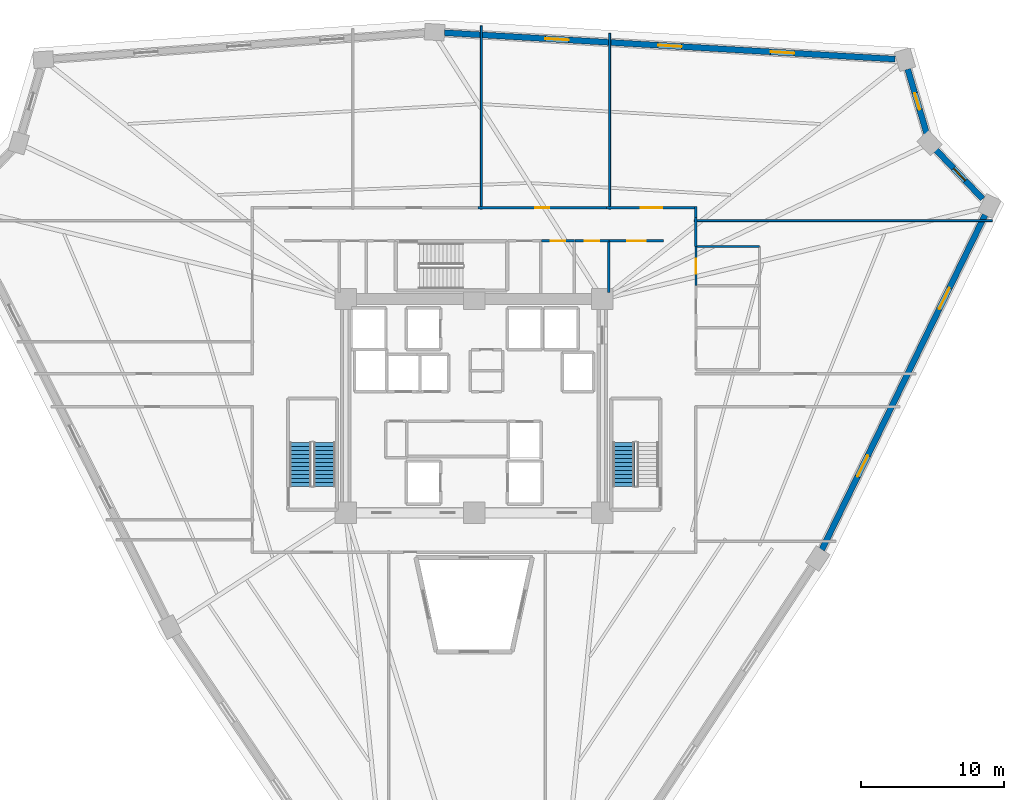
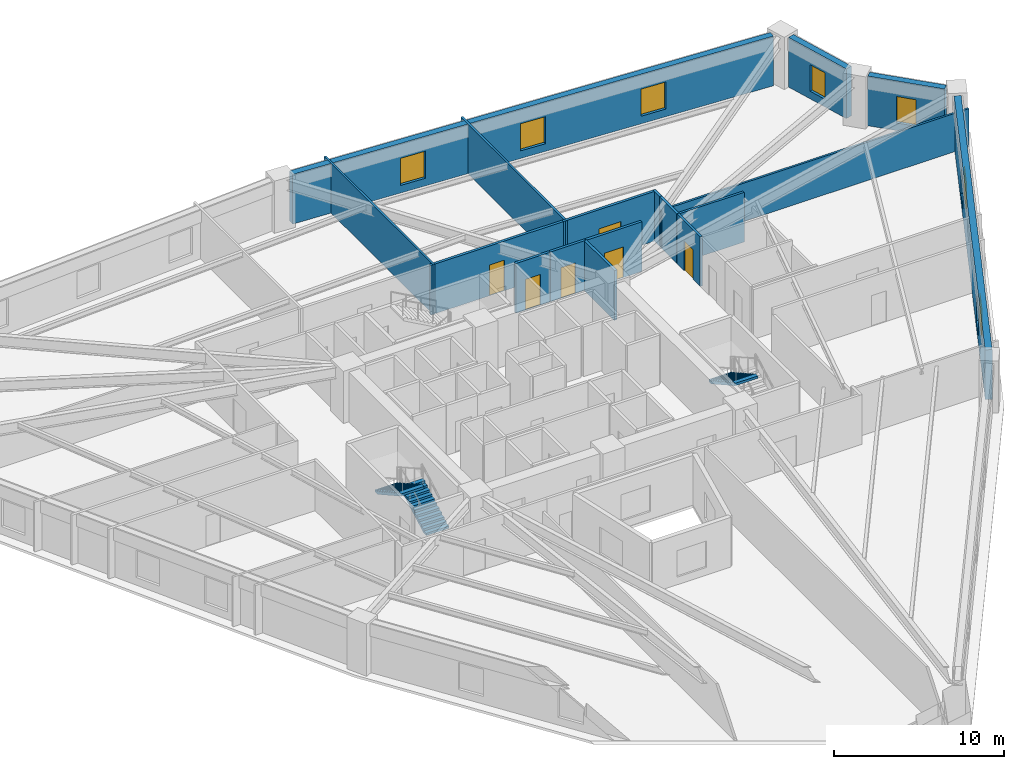
# One storey, part 7 of 9: 17 walls, 7 windows, 6 doors, 3 stair flights, 13 openings, 2 elements without a shape of their own.
"""IFC4 building model written with IfcOpenShell, lengths in metres."""

from ifc_helpers import new_model, si_unit, direction, frame, frame_2d, origin, place, context, subcontext, project, spatial, polyline, rectangle, outline, extrude, source, transform, mapped, material, layer, layer_set, type_object, element, fill, aggregate, save


model = new_model("IFC4")

# Units and contexts
model_context = context("Model", 3, precision=1e-05, world=origin(), true_north=direction((0.0, 1.0)))
body_context = subcontext(model_context, "Body", "Model", "MODEL_VIEW")
ifc_project = project(units=[si_unit("LENGTHUNIT", "METRE"), si_unit("AREAUNIT", "SQUARE_METRE"), si_unit("VOLUMEUNIT", "CUBIC_METRE"), si_unit("PLANEANGLEUNIT", "RADIAN"), si_unit("MASSUNIT", "GRAM", prefix="KILO")], contexts=[model_context])

# Site, building, storey
site_placement = place(None, origin())
site = spatial("IfcSite", under=ifc_project, at=site_placement, CompositionType="ELEMENT")
building_placement = place(site_placement, origin())
building = spatial("IfcBuilding", under=site, at=building_placement, Name="Liaohun Quay Tower", CompositionType="ELEMENT")
storey_placement = place(building_placement, frame((0.0, 0.0, 132.0)))
storey = spatial("IfcBuildingStorey", under=building, at=storey_placement, Name="L34", CompositionType="ELEMENT", Elevation=132.0)

# Wall, openings, windows
ifc_material_1 = material(Name="Precast concrete C50 insulated sandwich", Category="concrete")
ifc_layer_1 = layer(ifc_material_1, 0.419921875, Name="Precast concrete C50 insulated sandwich", Category="concrete")
ifc_layer_set_1 = layer_set([ifc_layer_1], Name="Precast concrete C50 insulated sandwich")
wall_type_1 = type_object("IfcWallType", Name="WAL-EXT-Z12", PredefinedType="SOLIDWALL", material=ifc_layer_set_1)
wall_1_placement = place(storey_placement, frame((84.40087890625, 43.909912109375, 0.0), z_axis=(0.0, 0.0, 1.0), x_axis=(0.438149799109, 0.898901971041, 0.0)))
wall_1 = element("IfcWall", 1, at=wall_1_placement, inside=storey, type_object=wall_type_1, Name="L34 Brutalist Precast Pier Wall 03", PredefinedType="SOLIDWALL", context=body_context, shape_type="SweptSolid", body=[
    extrude(rectangle(XDim=26.1396484375, YDim=0.419921875, at=frame_2d((13.06982421875, 0.0))), origin(), (0.0, 0.0, 1.0), 3.570068359375),
])
shared_shape_1 = source(origin(), body_context, "Body", "SweptSolid", [
    extrude(rectangle(XDim=1.64990234375, YDim=1.949951171875, at=frame_2d((0.824951171875, 0.97509765625))), frame((0.0, 0.219970703125, 0.0), z_axis=(0.0, -1.0, 0.0), x_axis=(1.0, 0.0, 0.0)), (0.0, 0.0, 1.0), 0.43994140625),
])
opening_1_placement = place(wall_1_placement, frame((5.7099609375, 0.0, 0.550048828125)))
opening_1 = element("IfcOpeningElement", 2, at=opening_1_placement, cuts=wall_1, Name="Opening W02", PredefinedType="OPENING", context=body_context, shape_type="MappedRepresentation", body=[
    mapped(shared_shape_1, transform((0.0, 0.0, 0.0), x_axis=(1.0, 0.0, 0.0), y_axis=(0.0, 1.0, 0.0), z_axis=(0.0, 0.0, 1.0), scale=1.0)),
])
opening_2_placement = place(wall_1_placement, frame((18.780029296875, 0.0, 0.550048828125)))
opening_2 = element("IfcOpeningElement", 3, at=opening_2_placement, cuts=wall_1, Name="Opening W02", PredefinedType="OPENING", context=body_context, shape_type="MappedRepresentation", body=[
    mapped(shared_shape_1, transform((0.0, 0.0, 0.0), x_axis=(1.0, 0.0, 0.0), y_axis=(0.0, 1.0, 0.0), z_axis=(0.0, 0.0, 1.0), scale=1.0)),
])
ifc_material_2 = material(Name="Triple Low-E argon glazing in thermally broken aluminium", Category="aluminium")
window_type_1 = type_object("IfcWindowType", Name="WIN-PUN-Z2", PartitioningType="DOUBLE_PANEL_VERTICAL", PredefinedType="WINDOW", material=ifc_material_2)
shared_shape_2 = source(origin(), body_context, "Body", "SweptSolid", [
    extrude(rectangle(XDim=1.64990234375, YDim=1.949951171875, at=frame_2d((0.824951171875, 0.97509765625))), frame((0.0, 0.030029296875, 0.0), z_axis=(0.0, -1.0, 0.0), x_axis=(1.0, 0.0, 0.0)), (0.0, 0.0, 1.0), 0.06005859375),
])
window_1_placement = place(opening_1_placement, origin())
window_1 = element("IfcWindow", 4, at=window_1_placement, inside=storey, type_object=window_type_1, Name="L34 Recessed Cold-Climate Punched Window 03-1", OverallHeight=1.949951171875, OverallWidth=1.64990234375, PartitioningType="DOUBLE_PANEL_VERTICAL", PredefinedType="WINDOW", context=body_context, shape_type="MappedRepresentation", body=[
    mapped(shared_shape_2, transform((0.0, 0.0, 0.0), x_axis=(1.0, 0.0, 0.0), y_axis=(0.0, 1.0, 0.0), z_axis=(0.0, 0.0, 1.0), scale=1.0)),
])
fill(opening_1, window_1)
window_2_placement = place(opening_2_placement, origin())
window_2 = element("IfcWindow", 5, at=window_2_placement, inside=storey, type_object=window_type_1, Name="L34 Recessed Cold-Climate Punched Window 03-3", OverallHeight=1.949951171875, OverallWidth=1.64990234375, PartitioningType="DOUBLE_PANEL_VERTICAL", PredefinedType="WINDOW", context=body_context, shape_type="MappedRepresentation", body=[
    mapped(shared_shape_2, transform((0.0, 0.0, 0.0), x_axis=(1.0, 0.0, 0.0), y_axis=(0.0, 1.0, 0.0), z_axis=(0.0, 0.0, 1.0), scale=1.0)),
])
fill(opening_2, window_2)

# Wall, opening, window
wall_2_placement = place(storey_placement, frame((95.679931640625, 68.527099609375, 0.0), z_axis=(0.0, 0.0, 1.0), x_axis=(-0.689303823825, 0.724472386265, 0.0)))
wall_2 = element("IfcWall", 6, at=wall_2_placement, inside=storey, type_object=wall_type_1, Name="L34 Brutalist Precast Pier Wall 04", PredefinedType="SOLIDWALL", context=body_context, shape_type="SweptSolid", body=[
    extrude(rectangle(XDim=4.720458984375, YDim=0.419921875, at=frame_2d((2.3603515625, 0.0))), origin(), (0.0, 0.0, 1.0), 3.570068359375),
])
shared_shape_3 = source(origin(), body_context, "Body", "SweptSolid", [
    extrude(rectangle(XDim=1.199951171875, YDim=1.89990234375, at=frame_2d((0.60009765625, 0.949951171875))), frame((0.0, 0.219970703125, 0.0), z_axis=(0.0, -1.0, 0.0), x_axis=(1.0, 0.0, 0.0)), (0.0, 0.0, 1.0), 0.43994140625),
])
opening_3_placement = place(wall_2_placement, frame((1.760009765625, 0.0, 0.550048828125)))
opening_3 = element("IfcOpeningElement", 7, at=opening_3_placement, cuts=wall_2, Name="Opening W05", PredefinedType="OPENING", context=body_context, shape_type="MappedRepresentation", body=[
    mapped(shared_shape_3, transform((0.0, 0.0, 0.0), x_axis=(1.0, 0.0, 0.0), y_axis=(0.0, 1.0, 0.0), z_axis=(0.0, 0.0, 1.0), scale=1.0)),
])
ifc_material_3 = material(Name="Triple Low-E corner notch glazing", Category="glass")
window_type_2 = type_object("IfcWindowType", Name="WIN-NOTCH", PartitioningType="SINGLE_PANEL", PredefinedType="WINDOW", material=ifc_material_3)
shared_shape_4 = source(origin(), body_context, "Body", "SweptSolid", [
    extrude(rectangle(XDim=1.199951171875, YDim=1.89990234375, at=frame_2d((0.60009765625, 0.949951171875))), frame((0.0, 0.030029296875, 0.0), z_axis=(0.0, -1.0, 0.0), x_axis=(1.0, 0.0, 0.0)), (0.0, 0.0, 1.0), 0.06005859375),
])
window_3_placement = place(opening_3_placement, origin())
window_3 = element("IfcWindow", 8, at=window_3_placement, inside=storey, type_object=window_type_2, Name="L34 Corner Notch Window W05-04", OverallHeight=1.89990234375, OverallWidth=1.199951171875, PartitioningType="SINGLE_PANEL", PredefinedType="WINDOW", context=body_context, shape_type="MappedRepresentation", body=[
    mapped(shared_shape_4, transform((0.0, 0.0, 0.0), x_axis=(1.0, 0.0, 0.0), y_axis=(0.0, 1.0, 0.0), z_axis=(0.0, 0.0, 1.0), scale=1.0)),
])
fill(opening_3, window_3)

wall_3_placement = place(storey_placement, frame((91.7548828125, 73.10888671875, 0.0), z_axis=(0.0, 0.0, 1.0), x_axis=(-0.282572950825, 0.959245811803, 0.0)))
wall_3 = element("IfcWall", 9, at=wall_3_placement, inside=storey, type_object=wall_type_1, Name="L34 Brutalist Precast Pier Wall 05", PredefinedType="SOLIDWALL", context=body_context, shape_type="SweptSolid", body=[
    extrude(rectangle(XDim=4.713134765625, YDim=0.419921875, at=frame_2d((2.3564453125, 0.0))), origin(), (0.0, 0.0, 1.0), 3.570068359375),
])
opening_4_placement = place(wall_3_placement, frame((1.757080078125, 0.0, 0.550048828125)))
opening_4 = element("IfcOpeningElement", 10, at=opening_4_placement, cuts=wall_3, Name="Opening W05", PredefinedType="OPENING", context=body_context, shape_type="MappedRepresentation", body=[
    mapped(shared_shape_3, transform((0.0, 0.0, 0.0), x_axis=(1.0, 0.0, 0.0), y_axis=(0.0, 1.0, 0.0), z_axis=(0.0, 0.0, 1.0), scale=1.0)),
])
window_4_placement = place(opening_4_placement, origin())
window_4 = element("IfcWindow", 11, at=window_4_placement, inside=storey, type_object=window_type_2, Name="L34 Corner Notch Window W05-05", OverallHeight=1.89990234375, OverallWidth=1.199951171875, PartitioningType="SINGLE_PANEL", PredefinedType="WINDOW", context=body_context, shape_type="MappedRepresentation", body=[
    mapped(shared_shape_4, transform((0.0, 0.0, 0.0), x_axis=(1.0, 0.0, 0.0), y_axis=(0.0, 1.0, 0.0), z_axis=(0.0, 0.0, 1.0), scale=1.0)),
])
fill(opening_4, window_4)

# Wall, openings, windows
wall_4_placement = place(storey_placement, frame((89.5390625, 78.33203125, 0.0), z_axis=(0.0, 0.0, 1.0), x_axis=(-0.998285887644, 0.058525947494, 0.0)))
wall_4 = element("IfcWall", 12, at=wall_4_placement, inside=storey, type_object=wall_type_1, Name="L34 Brutalist Precast Pier Wall 06", PredefinedType="SOLIDWALL", context=body_context, shape_type="SweptSolid", body=[
    extrude(rectangle(XDim=31.67822265625, YDim=0.419921875, at=frame_2d((15.839111328125, 0.0))), origin(), (0.0, 0.0, 1.0), 3.570068359375),
])
opening_5_placement = place(wall_4_placement, frame((7.094970703125, 0.0, 0.550048828125)))
opening_5 = element("IfcOpeningElement", 13, at=opening_5_placement, cuts=wall_4, Name="Opening W02", PredefinedType="OPENING", context=body_context, shape_type="MappedRepresentation", body=[
    mapped(shared_shape_1, transform((0.0, 0.0, 0.0), x_axis=(1.0, 0.0, 0.0), y_axis=(0.0, 1.0, 0.0), z_axis=(0.0, 0.0, 1.0), scale=1.0)),
])
opening_6_placement = place(wall_4_placement, frame((15.013916015625, 0.0, 0.550048828125)))
opening_6 = element("IfcOpeningElement", 14, at=opening_6_placement, cuts=wall_4, Name="Opening W02", PredefinedType="OPENING", context=body_context, shape_type="MappedRepresentation", body=[
    mapped(shared_shape_1, transform((0.0, 0.0, 0.0), x_axis=(1.0, 0.0, 0.0), y_axis=(0.0, 1.0, 0.0), z_axis=(0.0, 0.0, 1.0), scale=1.0)),
])
opening_7_placement = place(wall_4_placement, frame((22.93408203125, 0.0, 0.550048828125)))
opening_7 = element("IfcOpeningElement", 15, at=opening_7_placement, cuts=wall_4, Name="Opening W02", PredefinedType="OPENING", context=body_context, shape_type="MappedRepresentation", body=[
    mapped(shared_shape_1, transform((0.0, 0.0, 0.0), x_axis=(1.0, 0.0, 0.0), y_axis=(0.0, 1.0, 0.0), z_axis=(0.0, 0.0, 1.0), scale=1.0)),
])
window_5_placement = place(opening_5_placement, origin())
window_5 = element("IfcWindow", 16, at=window_5_placement, inside=storey, type_object=window_type_1, Name="L34 Recessed Cold-Climate Punched Window 06-1", OverallHeight=1.949951171875, OverallWidth=1.64990234375, PartitioningType="DOUBLE_PANEL_VERTICAL", PredefinedType="WINDOW", context=body_context, shape_type="MappedRepresentation", body=[
    mapped(shared_shape_2, transform((0.0, 0.0, 0.0), x_axis=(1.0, 0.0, 0.0), y_axis=(0.0, 1.0, 0.0), z_axis=(0.0, 0.0, 1.0), scale=1.0)),
])
fill(opening_5, window_5)
window_6_placement = place(opening_6_placement, origin())
window_6 = element("IfcWindow", 17, at=window_6_placement, inside=storey, type_object=window_type_1, Name="L34 Recessed Cold-Climate Punched Window 06-2", OverallHeight=1.949951171875, OverallWidth=1.64990234375, PartitioningType="DOUBLE_PANEL_VERTICAL", PredefinedType="WINDOW", context=body_context, shape_type="MappedRepresentation", body=[
    mapped(shared_shape_2, transform((0.0, 0.0, 0.0), x_axis=(1.0, 0.0, 0.0), y_axis=(0.0, 1.0, 0.0), z_axis=(0.0, 0.0, 1.0), scale=1.0)),
])
fill(opening_6, window_6)
window_7_placement = place(opening_7_placement, origin())
window_7 = element("IfcWindow", 18, at=window_7_placement, inside=storey, type_object=window_type_1, Name="L34 Recessed Cold-Climate Punched Window 06-3", OverallHeight=1.949951171875, OverallWidth=1.64990234375, PartitioningType="DOUBLE_PANEL_VERTICAL", PredefinedType="WINDOW", context=body_context, shape_type="MappedRepresentation", body=[
    mapped(shared_shape_2, transform((0.0, 0.0, 0.0), x_axis=(1.0, 0.0, 0.0), y_axis=(0.0, 1.0, 0.0), z_axis=(0.0, 0.0, 1.0), scale=1.0)),
])
fill(opening_7, window_7)

# Wall, opening, door
ifc_material_4 = material(Name="Autoclaved aerated concrete blockwork", Category="masonry")
ifc_layer_2 = layer(ifc_material_4, 0.179931640625, Name="Autoclaved aerated concrete blockwork", Category="masonry")
ifc_layer_set_2 = layer_set([ifc_layer_2], Name="Autoclaved aerated concrete blockwork")
wall_type_2 = type_object("IfcWallType", Name="WAL-PRT-COR", PredefinedType="PARTITIONING", material=ifc_layer_set_2)
wall_5_placement = place(storey_placement, frame((64.719970703125, 65.580078125, 0.0), z_axis=(0.0, 0.0, 1.0), x_axis=(1.0, 0.0, 0.0)))
wall_5 = element("IfcWall", 19, at=wall_5_placement, inside=storey, type_object=wall_type_2, Name="L34 Interior Partition Wall 011", PredefinedType="PARTITIONING", context=body_context, shape_type="SweptSolid", body=[
    extrude(rectangle(XDim=2.320068359375, YDim=0.179931640625, at=frame_2d((1.16015625, 0.0))), origin(), (0.0, 0.0, 1.0), 3.570068359375),
])
shared_shape_5 = source(origin(), body_context, "Body", "SweptSolid", [
    extrude(rectangle(XDim=1.0, YDim=2.199951171875, at=frame_2d((0.5, 1.10009765625))), frame((0.0, 0.099853515625, 0.0), z_axis=(0.0, -1.0, 0.0), x_axis=(1.0, 0.0, 0.0)), (0.0, 0.0, 1.0), 0.199951171875),
])
opening_8_placement = place(wall_5_placement, frame((0.659912109375, 0.0, 0.0)))
opening_8 = element("IfcOpeningElement", 20, at=opening_8_placement, cuts=wall_5, Name="Opening OD1", PredefinedType="OPENING", context=body_context, shape_type="MappedRepresentation", body=[
    mapped(shared_shape_5, transform((0.0, 0.0, 0.0), x_axis=(1.0, 0.0, 0.0), y_axis=(0.0, 1.0, 0.0), z_axis=(0.0, 0.0, 1.0), scale=1.0)),
])
ifc_material_5 = material(Name="Solid-core oak veneer timber leaf in steel frame", Category="steel")
door_type_1 = type_object("IfcDoorType", Name="DOR-OFF-1000", OperationType="NOTDEFINED", PredefinedType="DOOR", material=ifc_material_5)
shared_shape_6 = source(origin(), body_context, "Body", "SweptSolid", [
    extrude(rectangle(XDim=1.0, YDim=2.199951171875, at=frame_2d((0.5, 1.10009765625))), frame((0.0, 0.02490234375, 0.0), z_axis=(0.0, -1.0, 0.0), x_axis=(1.0, 0.0, 0.0)), (0.0, 0.0, 1.0), 0.050048828125),
])
door_1_placement = place(opening_8_placement, origin())
door_1 = element("IfcDoor", 21, at=door_1_placement, inside=storey, type_object=door_type_1, Name="L34 North-East Comms Room Door", OperationType="SINGLE_SWING_RIGHT", OverallHeight=2.199951171875, OverallWidth=1.0, PredefinedType="DOOR", context=body_context, shape_type="MappedRepresentation", body=[
    mapped(shared_shape_6, transform((0.0, 0.0, 0.0), x_axis=(1.0, 0.0, 0.0), y_axis=(0.0, 1.0, 0.0), z_axis=(0.0, 0.0, 1.0), scale=1.0)),
])
fill(opening_8, door_1)

wall_6_placement = place(storey_placement, frame((67.080078125, 65.580078125, 0.0), z_axis=(0.0, 0.0, 1.0), x_axis=(1.0, 0.0, 0.0)))
wall_6 = element("IfcWall", 22, at=wall_6_placement, inside=storey, type_object=wall_type_2, Name="L34 Interior Partition Wall 012", PredefinedType="PARTITIONING", context=body_context, shape_type="SweptSolid", body=[
    extrude(rectangle(XDim=2.3798828125, YDim=0.179931640625, at=frame_2d((1.18994140625, 0.0))), origin(), (0.0, 0.0, 1.0), 3.570068359375),
])
opening_9_placement = place(wall_6_placement, frame((0.68994140625, 0.0, 0.0)))
opening_9 = element("IfcOpeningElement", 23, at=opening_9_placement, cuts=wall_6, Name="Opening OD1", PredefinedType="OPENING", context=body_context, shape_type="MappedRepresentation", body=[
    mapped(shared_shape_5, transform((0.0, 0.0, 0.0), x_axis=(1.0, 0.0, 0.0), y_axis=(0.0, 1.0, 0.0), z_axis=(0.0, 0.0, 1.0), scale=1.0)),
])
door_2_placement = place(opening_9_placement, origin())
door_2 = element("IfcDoor", 24, at=door_2_placement, inside=storey, type_object=door_type_1, Name="L34 North-East Cleaner Store Door", OperationType="SINGLE_SWING_LEFT", OverallHeight=2.199951171875, OverallWidth=1.0, PredefinedType="DOOR", context=body_context, shape_type="MappedRepresentation", body=[
    mapped(shared_shape_6, transform((0.0, 0.0, 0.0), x_axis=(1.0, 0.0, 0.0), y_axis=(0.0, 1.0, 0.0), z_axis=(0.0, 0.0, 1.0), scale=1.0)),
])
fill(opening_9, door_2)

wall_7_placement = place(storey_placement, frame((69.4599609375, 65.580078125, 0.0), z_axis=(0.0, 0.0, 1.0), x_axis=(1.0, 0.0, 0.0)))
wall_7 = element("IfcWall", 25, at=wall_7_placement, inside=storey, type_object=wall_type_2, Name="L34 Interior Partition Wall 014", PredefinedType="PARTITIONING", context=body_context, shape_type="SweptSolid", body=[
    extrude(rectangle(XDim=3.840087890625, YDim=0.179931640625, at=frame_2d((1.919921875, 0.0))), origin(), (0.0, 0.0, 1.0), 3.570068359375),
])
shared_shape_7 = source(origin(), body_context, "Body", "SweptSolid", [
    extrude(rectangle(XDim=1.300048828125, YDim=2.199951171875, at=frame_2d((0.64990234375, 1.10009765625))), frame((0.0, 0.099853515625, 0.0), z_axis=(0.0, -1.0, 0.0), x_axis=(1.0, 0.0, 0.0)), (0.0, 0.0, 1.0), 0.199951171875),
])
opening_10_placement = place(wall_7_placement, frame((1.27001953125, 0.0, 0.0)))
opening_10 = element("IfcOpeningElement", 26, at=opening_10_placement, cuts=wall_7, Name="Opening FD1", PredefinedType="OPENING", context=body_context, shape_type="MappedRepresentation", body=[
    mapped(shared_shape_7, transform((0.0, 0.0, 0.0), x_axis=(1.0, 0.0, 0.0), y_axis=(0.0, 1.0, 0.0), z_axis=(0.0, 0.0, 1.0), scale=1.0)),
])
ifc_material_6 = material(Name="Galvanised steel smokeproof fire door", Category="steel")
door_type_2 = type_object("IfcDoorType", Name="DOR-FFL-1300", OperationType="NOTDEFINED", PredefinedType="DOOR", material=ifc_material_6)
shared_shape_8 = source(origin(), body_context, "Body", "SweptSolid", [
    extrude(rectangle(XDim=1.300048828125, YDim=2.199951171875, at=frame_2d((0.64990234375, 1.10009765625))), frame((0.0, 0.02490234375, 0.0), z_axis=(0.0, -1.0, 0.0), x_axis=(1.0, 0.0, 0.0)), (0.0, 0.0, 1.0), 0.050048828125),
])
door_3_placement = place(opening_10_placement, origin())
door_3 = element("IfcDoor", 27, at=door_3_placement, inside=storey, type_object=door_type_2, Name="L34 East Core Vestibule Door", OperationType="SINGLE_SWING_LEFT", OverallHeight=2.199951171875, OverallWidth=1.300048828125, PredefinedType="DOOR", context=body_context, shape_type="MappedRepresentation", body=[
    mapped(shared_shape_8, transform((0.0, 0.0, 0.0), x_axis=(1.0, 0.0, 0.0), y_axis=(0.0, 1.0, 0.0), z_axis=(0.0, 0.0, 1.0), scale=1.0)),
])
fill(opening_10, door_3)

wall_8_placement = place(storey_placement, frame((69.284912109375, 67.909912109375, 0.0), z_axis=(0.0, 0.0, 1.0), x_axis=(1.0, 0.0, 0.0)))
wall_8 = element("IfcWall", 28, at=wall_8_placement, inside=storey, type_object=wall_type_2, Name="L34 Interior Partition Wall 016", PredefinedType="PARTITIONING", context=body_context, shape_type="SweptSolid", body=[
    extrude(rectangle(XDim=6.344970703125, YDim=0.179931640625, at=frame_2d((3.17236328125, 0.0))), origin(), (0.0, 0.0, 1.0), 3.570068359375),
])
shared_shape_9 = source(origin(), body_context, "Body", "SweptSolid", [
    extrude(rectangle(XDim=1.5, YDim=2.199951171875, at=frame_2d((0.75, 1.10009765625))), frame((0.0, 0.099853515625, 0.0), z_axis=(0.0, -1.0, 0.0), x_axis=(1.0, 0.0, 0.0)), (0.0, 0.0, 1.0), 0.199951171875),
])
opening_11_placement = place(wall_8_placement, frame((2.422119140625, 0.0, 0.0)))
opening_11 = element("IfcOpeningElement", 29, at=opening_11_placement, cuts=wall_8, Name="Opening OD2", PredefinedType="OPENING", context=body_context, shape_type="MappedRepresentation", body=[
    mapped(shared_shape_9, transform((0.0, 0.0, 0.0), x_axis=(1.0, 0.0, 0.0), y_axis=(0.0, 1.0, 0.0), z_axis=(0.0, 0.0, 1.0), scale=1.0)),
])
ifc_material_7 = material(Name="Acoustic oak veneer double door")
door_type_3 = type_object("IfcDoorType", Name="DOR-OFF-1500", OperationType="DOUBLE_DOOR_SINGLE_SWING", PredefinedType="DOOR", material=ifc_material_7)
shared_shape_10 = source(origin(), body_context, "Body", "SweptSolid", [
    extrude(rectangle(XDim=1.5, YDim=2.199951171875, at=frame_2d((0.75, 1.10009765625))), frame((0.0, 0.02490234375, 0.0), z_axis=(0.0, -1.0, 0.0), x_axis=(1.0, 0.0, 0.0)), (0.0, 0.0, 1.0), 0.050048828125),
])
door_4_placement = place(opening_11_placement, origin())
door_4 = element("IfcDoor", 30, at=door_4_placement, inside=storey, type_object=door_type_3, Name="L34 Digital Prototyping Laboratory 02 Door", OperationType="DOUBLE_DOOR_SINGLE_SWING", OverallHeight=2.199951171875, OverallWidth=1.5, PredefinedType="DOOR", context=body_context, shape_type="MappedRepresentation", body=[
    mapped(shared_shape_10, transform((0.0, 0.0, 0.0), x_axis=(1.0, 0.0, 0.0), y_axis=(0.0, 1.0, 0.0), z_axis=(0.0, 0.0, 1.0), scale=1.0)),
])
fill(opening_11, door_4)

wall_9_placement = place(storey_placement, frame((60.284912109375, 67.909912109375, 0.0), z_axis=(0.0, 0.0, 1.0), x_axis=(1.0, 0.0, 0.0)))
wall_9 = element("IfcWall", 31, at=wall_9_placement, inside=storey, type_object=wall_type_2, Name="L34 Interior Partition Wall 017", PredefinedType="PARTITIONING", context=body_context, shape_type="SweptSolid", body=[
    extrude(rectangle(XDim=9.0, YDim=0.179931640625, at=frame_2d((4.5, 0.0))), origin(), (0.0, 0.0, 1.0), 3.570068359375),
])
opening_12_placement = place(wall_9_placement, frame((4.0, 0.0, 0.0)))
opening_12 = element("IfcOpeningElement", 32, at=opening_12_placement, cuts=wall_9, Name="Opening OD1", PredefinedType="OPENING", context=body_context, shape_type="MappedRepresentation", body=[
    mapped(shared_shape_5, transform((0.0, 0.0, 0.0), x_axis=(1.0, 0.0, 0.0), y_axis=(0.0, 1.0, 0.0), z_axis=(0.0, 0.0, 1.0), scale=1.0)),
])
door_5_placement = place(opening_12_placement, origin())
door_5 = element("IfcDoor", 33, at=door_5_placement, inside=storey, type_object=door_type_1, Name="L34 Technical Reference Library 03 Door", OperationType="SINGLE_SWING_RIGHT", OverallHeight=2.199951171875, OverallWidth=1.0, PredefinedType="DOOR", context=body_context, shape_type="MappedRepresentation", body=[
    mapped(shared_shape_6, transform((0.0, 0.0, 0.0), x_axis=(1.0, 0.0, 0.0), y_axis=(0.0, 1.0, 0.0), z_axis=(0.0, 0.0, 1.0), scale=1.0)),
])
fill(opening_12, door_5)

# Walls
wall_10_placement = place(storey_placement, frame((69.4599609375, 61.949951171875, 0.0), z_axis=(0.0, 0.0, 1.0), x_axis=(0.0, 1.0, 0.0)))
element("IfcWall", 34, at=wall_10_placement, inside=storey, type_object=wall_type_2, Name="L34 Interior Partition Wall 043", PredefinedType="PARTITIONING", context=body_context, shape_type="SweptSolid", body=[
    extrude(rectangle(XDim=3.630126953125, YDim=0.179931640625, at=frame_2d((1.81494140625, 0.0))), origin(), (0.0, 0.0, 1.0), 3.570068359375),
])
wall_11_placement = place(storey_placement, frame((75.56005859375, 67.215087890625, 0.0), z_axis=(0.0, 0.0, 1.0), x_axis=(0.0, -1.0, 0.0)))
element("IfcWall", 35, at=wall_11_placement, inside=storey, type_object=wall_type_2, Name="L34 Interior Partition Wall 044", PredefinedType="PARTITIONING", context=body_context, shape_type="SweptSolid", body=[
    extrude(rectangle(XDim=2.03515625, YDim=0.179931640625, at=frame_2d((1.017578125, 0.0))), origin(), (0.0, 0.0, 1.0), 3.570068359375),
])
wall_12_placement = place(storey_placement, frame((75.56005859375, 67.97998046875, 0.0), z_axis=(0.0, 0.0, 1.0), x_axis=(0.0, -1.0, 0.0)))
element("IfcWall", 36, at=wall_12_placement, inside=storey, type_object=wall_type_2, Name="L34 Interior Partition Wall 045", PredefinedType="PARTITIONING", context=body_context, shape_type="SweptSolid", body=[
    extrude(rectangle(XDim=0.764892578125, YDim=0.179931640625, at=frame_2d((0.38232421875, 0.0))), origin(), (0.0, 0.0, 1.0), 3.570068359375),
])
ifc_material_8 = material(Name="Gypsum board on twin steel studs", Category="steel")
ifc_layer_3 = layer(ifc_material_8, 0.139892578125, Name="Gypsum board on twin steel studs", Category="steel")
ifc_layer_set_3 = layer_set([ifc_layer_3], Name="Gypsum board on twin steel studs")
wall_type_3 = type_object("IfcWallType", Name="WAL-PRT-OFF", PredefinedType="PARTITIONING", material=ifc_layer_set_3)
wall_13_placement = place(storey_placement, frame((75.4599609375, 67.0, 0.0), z_axis=(0.0, 0.0, 1.0), x_axis=(1.0, 0.0, 0.0)))
element("IfcWall", 37, at=wall_13_placement, inside=storey, type_object=wall_type_3, Name="L34 Interior Partition Wall 057", PredefinedType="PARTITIONING", context=body_context, shape_type="SweptSolid", body=[
    extrude(rectangle(XDim=20.89697265625, YDim=0.139892578125, at=frame_2d((10.448486328125, 0.0))), origin(), (0.0, 0.0, 1.0), 2.7548828125),
])
wall_14_placement = place(storey_placement, frame((60.5, 67.81005859375, 0.0), z_axis=(0.0, 0.0, 1.0), x_axis=(0.0, 1.0, 0.0)))
element("IfcWall", 38, at=wall_14_placement, inside=storey, type_object=wall_type_3, Name="L34 Interior Partition Wall 059", PredefinedType="PARTITIONING", context=body_context, shape_type="SweptSolid", body=[
    extrude(rectangle(XDim=12.85498046875, YDim=0.139892578125, at=frame_2d((6.427490234375, 0.0))), origin(), (0.0, 0.0, 1.0), 3.570068359375),
])
wall_15_placement = place(storey_placement, frame((69.5, 67.81005859375, 0.0), z_axis=(0.0, 0.0, 1.0), x_axis=(0.0, 1.0, 0.0)))
element("IfcWall", 39, at=wall_15_placement, inside=storey, type_object=wall_type_3, Name="L34 Interior Partition Wall 060", PredefinedType="PARTITIONING", context=body_context, shape_type="SweptSolid", body=[
    extrude(rectangle(XDim=12.327880859375, YDim=0.139892578125, at=frame_2d((6.1640625, 0.0))), origin(), (0.0, 0.0, 1.0), 3.570068359375),
])

# Wall, opening, door
ifc_material_9 = material(Name="Moisture-resistant masonry blockwork", Category="masonry")
ifc_layer_4 = layer(ifc_material_9, 0.159912109375, Name="Moisture-resistant masonry blockwork", Category="masonry")
ifc_layer_set_4 = layer_set([ifc_layer_4], Name="Moisture-resistant masonry blockwork")
wall_type_4 = type_object("IfcWallType", Name="WAL-PRT-WET", PredefinedType="PARTITIONING", material=ifc_layer_set_4)
wall_16_placement = place(storey_placement, frame((75.56005859375, 62.43994140625, 0.0), z_axis=(0.0, 0.0, 1.0), x_axis=(0.0, 1.0, 0.0)))
wall_16 = element("IfcWall", 40, at=wall_16_placement, inside=storey, type_object=wall_type_4, Name="L34 Interior Partition Wall 007", PredefinedType="PARTITIONING", context=body_context, shape_type="SweptSolid", body=[
    extrude(rectangle(XDim=2.739990234375, YDim=0.159912109375, at=frame_2d((1.3701171875, 0.0))), origin(), (0.0, 0.0, 1.0), 3.570068359375),
])
shared_shape_11 = source(origin(), body_context, "Body", "SweptSolid", [
    extrude(rectangle(XDim=1.050048828125, YDim=2.14990234375, at=frame_2d((0.52490234375, 1.074951171875))), frame((0.0, 0.08984375, 0.0), z_axis=(0.0, -1.0, 0.0), x_axis=(1.0, 0.0, 0.0)), (0.0, 0.0, 1.0), 0.179931640625),
])
opening_13_placement = place(wall_16_placement, frame((0.844970703125, 0.0, 0.0)))
opening_13 = element("IfcOpeningElement", 41, at=opening_13_placement, cuts=wall_16, Name="Opening WD2", PredefinedType="OPENING", context=body_context, shape_type="MappedRepresentation", body=[
    mapped(shared_shape_11, transform((0.0, 0.0, 0.0), x_axis=(1.0, 0.0, 0.0), y_axis=(0.0, 1.0, 0.0), z_axis=(0.0, 0.0, 1.0), scale=1.0)),
])
ifc_material_10 = material(Name="Accessible outward-swinging laminate door")
door_type_4 = type_object("IfcDoorType", Name="DOR-AWC-1050", OperationType="NOTDEFINED", PredefinedType="DOOR", material=ifc_material_10)
shared_shape_12 = source(origin(), body_context, "Body", "SweptSolid", [
    extrude(rectangle(XDim=1.050048828125, YDim=2.14990234375, at=frame_2d((0.52490234375, 1.074951171875))), frame((0.0, 0.02490234375, 0.0), z_axis=(0.0, -1.0, 0.0), x_axis=(1.0, 0.0, 0.0)), (0.0, 0.0, 1.0), 0.050048828125),
])
door_6_placement = place(opening_13_placement, origin())
door_6 = element("IfcDoor", 42, at=door_6_placement, inside=storey, type_object=door_type_4, Name="L34 Accessible WC Door", OperationType="SINGLE_SWING_RIGHT", OverallHeight=2.14990234375, OverallWidth=1.050048828125, PredefinedType="DOOR", context=body_context, shape_type="MappedRepresentation", body=[
    mapped(shared_shape_12, transform((0.0, 0.0, 0.0), x_axis=(1.0, 0.0, 0.0), y_axis=(0.0, 1.0, 0.0), z_axis=(0.0, 0.0, 1.0), scale=1.0)),
])
fill(opening_13, door_6)

# Wall
wall_17_placement = place(storey_placement, frame((75.56005859375, 65.179931640625, 0.0), z_axis=(0.0, 0.0, 1.0), x_axis=(1.0, 0.0, 0.0)))
element("IfcWall", 43, at=wall_17_placement, inside=storey, type_object=wall_type_4, Name="L34 Interior Partition Wall 038", PredefinedType="PARTITIONING", context=body_context, shape_type="SweptSolid", body=[
    extrude(rectangle(XDim=4.4599609375, YDim=0.159912109375, at=frame_2d((2.22998046875, 0.0))), origin(), (0.0, 0.0, 1.0), 3.570068359375),
])

# Stair, stair flights
ifc_material_11 = material(Name="Concrete C45", Category="concrete")
stair_type = type_object("IfcStairType", Name="STR-CORE-OFF", PredefinedType="HALF_TURN_STAIR", material=ifc_material_11)
stair_1_placement = place(storey_placement, origin())
stair_1 = element("IfcStair", 44, at=stair_1_placement, inside=storey, type_object=stair_type, Name="L34 Smokeproof Core Exit Stair ST-1", PredefinedType="HALF_TURN_STAIR")
stair_flight_type = type_object("IfcStairFlightType", Name="FLT-CORE-155", PredefinedType="STRAIGHT", material=ifc_material_11)
stair_flight_1_placement = place(storey_placement, frame((49.5048828125, 48.35009765625, 0.0), z_axis=(0.0, 0.0, 1.0), x_axis=(0.0, 1.0, 0.0)))
stair_flight_1 = element("IfcStairFlight", 45, at=stair_flight_1_placement, type_object=stair_flight_type, Name="ST-1 flight 1", NumberOfRisers=12, NumberOfTreads=11, PredefinedType="STRAIGHT", RiserHeight=0.15625, TreadLength=0.28, context=body_context, shape_type="SweptSolid", body=[
    extrude(outline(polyline([(0.0, 0.0), (0.0, 0.15625), (0.280029296875, 0.15625), (0.280029296875, 0.3125), (0.56005859375, 0.3125), (0.56005859375, 0.46875), (0.840087890625, 0.46875), (0.840087890625, 0.625), (1.1201171875, 0.625), (1.1201171875, 0.78125), (1.39990234375, 0.78125), (1.39990234375, 0.9375), (1.679931640625, 0.9375), (1.679931640625, 1.09375), (1.9599609375, 1.09375), (1.9599609375, 1.25), (2.239990234375, 1.25), (2.239990234375, 1.40625), (2.52001953125, 1.40625), (2.52001953125, 1.5625), (2.800048828125, 1.5625), (2.800048828125, 1.71875), (3.080078125, 1.71875), (3.080078125, 1.875), (3.080078125, 1.547119140625), (0.3076171875, 0.0), (0.0, 0.0)])), frame((0.0, 0.77490234375, 0.0), z_axis=(0.0, -1.0, 0.0), x_axis=(1.0, 0.0, 0.0)), (0.0, 0.0, 1.0), 1.550048828125),
])
stair_flight_2_placement = place(storey_placement, frame((47.81494140625, 51.429931640625, 1.875), z_axis=(0.0, 0.0, 1.0), x_axis=(0.0, -1.0, 0.0)))
stair_flight_2 = element("IfcStairFlight", 46, at=stair_flight_2_placement, type_object=stair_flight_type, Name="ST-1 flight 2", NumberOfRisers=12, NumberOfTreads=11, PredefinedType="STRAIGHT", RiserHeight=0.15625, TreadLength=0.28, context=body_context, shape_type="SweptSolid", body=[
    extrude(outline(polyline([(0.0, 0.0), (0.0, 0.15625), (0.280029296875, 0.15625), (0.280029296875, 0.3125), (0.56005859375, 0.3125), (0.56005859375, 0.46875), (0.840087890625, 0.46875), (0.840087890625, 0.625), (1.1201171875, 0.625), (1.1201171875, 0.78125), (1.39990234375, 0.78125), (1.39990234375, 0.9375), (1.679931640625, 0.9375), (1.679931640625, 1.09375), (1.9599609375, 1.09375), (1.9599609375, 1.25), (2.239990234375, 1.25), (2.239990234375, 1.40625), (2.52001953125, 1.40625), (2.52001953125, 1.5625), (2.800048828125, 1.5625), (2.800048828125, 1.71875), (3.080078125, 1.71875), (3.080078125, 1.875), (3.080078125, 1.547119140625), (0.3076171875, 0.0), (0.0, 0.0)])), frame((0.0, 0.77490234375, 0.0), z_axis=(0.0, -1.0, 0.0), x_axis=(1.0, 0.0, 0.0)), (0.0, 0.0, 1.0), 1.550048828125),
])
aggregate(stair_1, [stair_flight_1, stair_flight_2])

# Stair, stair flight
stair_2_placement = place(storey_placement, origin())
stair_2 = element("IfcStair", 47, at=stair_2_placement, inside=storey, type_object=stair_type, Name="L34 Smokeproof Core Exit Stair ST-2", PredefinedType="HALF_TURN_STAIR")
stair_flight_3_placement = place(storey_placement, frame((70.4951171875, 51.429931640625, 1.875), z_axis=(0.0, 0.0, 1.0), x_axis=(0.0, -1.0, 0.0)))
stair_flight_3 = element("IfcStairFlight", 48, at=stair_flight_3_placement, type_object=stair_flight_type, Name="ST-2 flight 2", NumberOfRisers=12, NumberOfTreads=11, PredefinedType="STRAIGHT", RiserHeight=0.15625, TreadLength=0.28, context=body_context, shape_type="SweptSolid", body=[
    extrude(outline(polyline([(0.0, 0.0), (0.0, 0.15625), (0.280029296875, 0.15625), (0.280029296875, 0.3125), (0.56005859375, 0.3125), (0.56005859375, 0.46875), (0.840087890625, 0.46875), (0.840087890625, 0.625), (1.1201171875, 0.625), (1.1201171875, 0.78125), (1.39990234375, 0.78125), (1.39990234375, 0.9375), (1.679931640625, 0.9375), (1.679931640625, 1.09375), (1.9599609375, 1.09375), (1.9599609375, 1.25), (2.239990234375, 1.25), (2.239990234375, 1.40625), (2.52001953125, 1.40625), (2.52001953125, 1.5625), (2.800048828125, 1.5625), (2.800048828125, 1.71875), (3.080078125, 1.71875), (3.080078125, 1.875), (3.080078125, 1.547119140625), (0.3076171875, 0.0), (0.0, 0.0)])), frame((0.0, 0.77490234375, 0.0), z_axis=(0.0, -1.0, 0.0), x_axis=(1.0, 0.0, 0.0)), (0.0, 0.0, 1.0), 1.550048828125),
])
aggregate(stair_2, [stair_flight_3])

save(model, "model.ifc")
